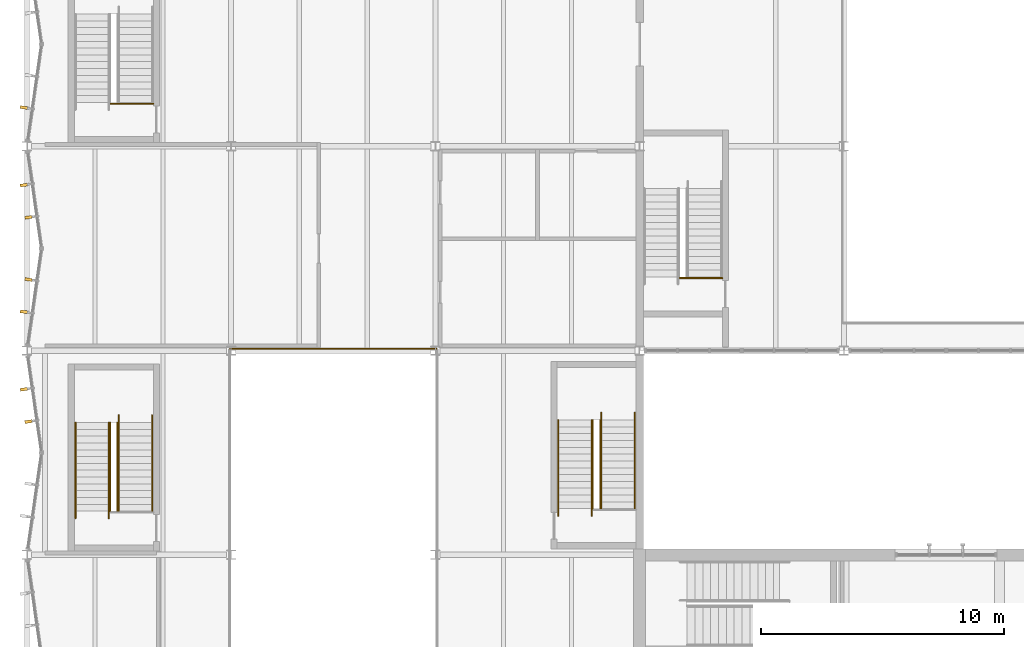
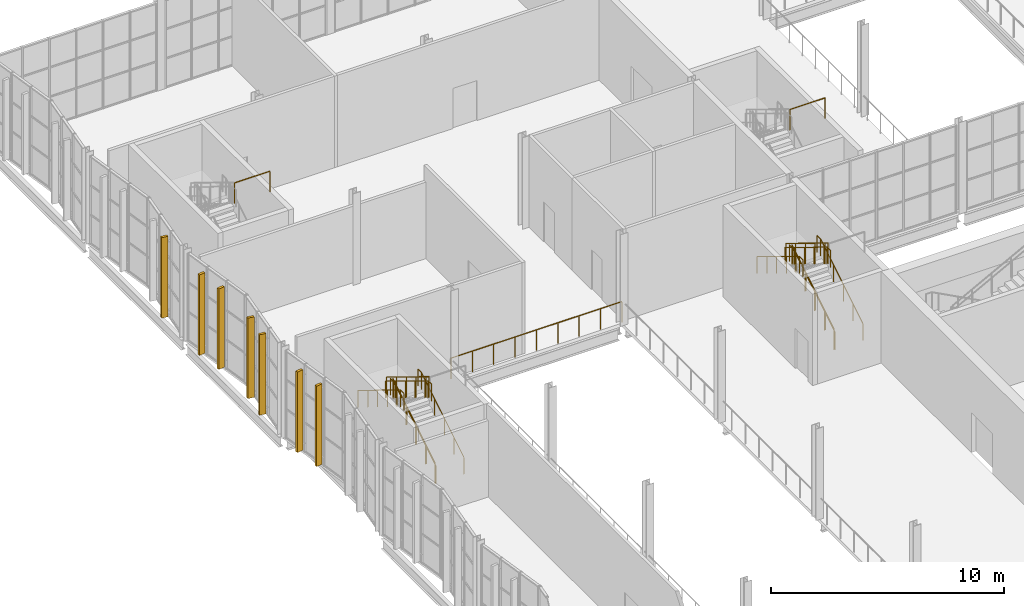
# One storey, part 120 of 127: 15 railings, 7 shading devices.
"""IFC4 building model written with IfcOpenShell, lengths in metres."""

from ifc_helpers import new_model, si_unit, direction, frame, origin, origin_2d, place, context, subcontext, project, spatial, rectangle, circle, extrude, material, type_object, element, save


model = new_model("IFC4")

# Units and contexts
model_context = context("Model", 3, precision=1e-05, world=origin(), true_north=direction((0.0, 1.0)))
body_context = subcontext(model_context, "Body", "Model", "MODEL_VIEW")
ifc_project = project(units=[si_unit("LENGTHUNIT", "METRE"), si_unit("AREAUNIT", "SQUARE_METRE"), si_unit("VOLUMEUNIT", "CUBIC_METRE"), si_unit("PLANEANGLEUNIT", "RADIAN"), si_unit("MASSUNIT", "GRAM", prefix="KILO")], contexts=[model_context])

# Site, building, storey
site_placement = place(None, origin())
site = spatial("IfcSite", under=ifc_project, at=site_placement, CompositionType="ELEMENT")
building_placement = place(site_placement, origin())
building = spatial("IfcBuilding", under=site, at=building_placement, Name="Ljudholm Concert House", CompositionType="ELEMENT")
storey_placement = place(building_placement, frame((0.0, 0.0, 5.39990234375)))
storey = spatial("IfcBuildingStorey", under=building, at=storey_placement, Name="L01", CompositionType="ELEMENT", Elevation=5.39990234375)

# Shading devices
ifc_material_1 = material(Name="Aluminium extrusion with timber-grain PVDF finish", Category="aluminium")
shading_device_type = type_object("IfcShadingDeviceType", Name="FACADE FIN 300x120", PredefinedType="SHUTTER", material=ifc_material_1)
for number, where, z_axis, x_axis, name in (
    (1, (4.06396484375, 101.8779296875, 0.2001953125), (0.0, 0.0, 1.0), (-0.989949493662, -0.141421356235, 0.0), "Facade fin"),
    (2, (3.874267578125, 103.205322265625, 0.2001953125), (0.0, 0.0, 1.0), (-0.989949493662, -0.141421356235, 0.0), "Facade fin"),
    (3, (3.874267578125, 106.394775390625, 0.2001953125), (0.0, 0.0, 1.0), (-0.989949493662, 0.141421356235, 0.0), "Facade fin"),
    (4, (4.06396484375, 107.72216796875, 0.2001953125), (0.0, 0.0, 1.0), (-0.989949493662, 0.141421356235, 0.0), "Facade fin"),
    (5, (4.06396484375, 110.27783203125, 0.2001953125), (0.0, 0.0, 1.0), (-0.989949493662, -0.141421356235, 0.0), "Facade fin"),
    (6, (3.874267578125, 111.605224609375, 0.2001953125), (0.0, 0.0, 1.0), (-0.989949493662, -0.141421356235, 0.0), "Facade fin"),
    (7, (3.874267578125, 114.794677734375, 0.2001953125), (0.0, 0.0, 1.0), (-0.989949493662, 0.141421356235, 0.0), "Facade fin"),
):
    element("IfcShadingDevice", number, at=place(storey_placement, frame(where, z_axis=z_axis, x_axis=x_axis)), inside=storey, type_object=shading_device_type, Name=name, PredefinedType="SHUTTER", context=body_context, shape_type="SweptSolid", body=[
        extrude(rectangle(XDim=0.300048828125, YDim=0.1201171875, at=origin_2d()), origin(), (0.0, 0.0, 1.0), 4.219970703125),
    ])

# Railings
ifc_material_2 = material(Name="Steel ASTM A36", Category="steel")
railing_type_1 = type_object("IfcRailingType", Name="GUARD 1100", PredefinedType="GUARDRAIL", material=ifc_material_2)
railing_1_placement = place(storey_placement, frame((27.574951171875, 98.300048828125, 0.171630859375)))
element("IfcRailing", 8, at=railing_1_placement, inside=storey, type_object=railing_type_1, Name="Guard", PredefinedType="GUARDRAIL", context=body_context, shape_type="SweptSolid", body=[
    extrude(circle(Radius=0.02490234375, at=origin_2d()), frame((0.0, 0.0, 1.0751953125), z_axis=(0.0, 0.85286482292, 0.522131778218), x_axis=(-1.0, 0.0, 0.0)), (0.0, 0.0, 1.0), 0.984619140625),
    extrude(circle(Radius=0.02490234375, at=origin_2d()), frame((0.0, 0.83984375, 1.58935546875), z_axis=(0.0, 0.852822021269, 0.522201685212), x_axis=(-1.0, 0.0, 0.0)), (0.0, 0.0, 1.0), 0.985107421875),
    extrude(circle(Radius=0.02490234375, at=origin_2d()), frame((0.0, 1.679931640625, 2.103515625), z_axis=(0.0, 0.852932391421, 0.522021393877), x_axis=(-1.0, 0.0, 0.0)), (0.0, 0.0, 1.0), 0.98486328125),
    extrude(circle(Radius=0.02490234375, at=origin_2d()), frame((0.0, 2.52001953125, 2.61767578125), z_axis=(0.0, 0.852754414843, 0.522312079092), x_axis=(-1.0, 0.0, 0.0)), (0.0, 0.0, 1.0), 0.98486328125),
    extrude(circle(Radius=0.02490234375, at=origin_2d()), frame((0.0, 3.35986328125, 3.13232421875), z_axis=(0.0, 0.852932391421, 0.522021393877), x_axis=(-1.0, 0.0, 0.0)), (0.0, 0.0, 1.0), 0.328369140625),
    extrude(circle(Radius=0.02099609375, at=origin_2d()), origin(), (0.0, 0.0, 1.0), 1.050048828125),
    extrude(circle(Radius=0.02099609375, at=origin_2d()), frame((0.0, 0.83984375, 0.51416015625)), (0.0, 0.0, 1.0), 1.050048828125),
    extrude(circle(Radius=0.02099609375, at=origin_2d()), frame((0.0, 1.679931640625, 1.028564453125)), (0.0, 0.0, 1.0), 1.050048828125),
    extrude(circle(Radius=0.02099609375, at=origin_2d()), frame((0.0, 2.52001953125, 1.542724609375)), (0.0, 0.0, 1.0), 1.050048828125),
    extrude(circle(Radius=0.02099609375, at=origin_2d()), frame((0.0, 3.35986328125, 2.05712890625)), (0.0, 0.0, 1.0), 1.050048828125),
    extrude(circle(Radius=0.02099609375, at=origin_2d()), frame((0.0, 3.639892578125, 2.228515625)), (0.0, 0.0, 1.0), 1.050048828125),
])
railing_2_placement = place(storey_placement, frame((27.27490234375, 101.93994140625, 2.571533203125)))
element("IfcRailing", 9, at=railing_2_placement, inside=storey, type_object=railing_type_1, Name="Guard", PredefinedType="GUARDRAIL", context=body_context, shape_type="SweptSolid", body=[
    extrude(circle(Radius=0.02490234375, at=origin_2d()), frame((0.0, 0.0, 1.0751953125), z_axis=(0.0, -0.85286482292, 0.522131778218), x_axis=(1.0, 0.0, 0.0)), (0.0, 0.0, 1.0), 0.984619140625),
    extrude(circle(Radius=0.02490234375, at=origin_2d()), frame((0.0, -0.83984375, 1.58935546875), z_axis=(0.0, -0.852822021269, 0.522201685212), x_axis=(1.0, 0.0, 0.0)), (0.0, 0.0, 1.0), 0.985107421875),
    extrude(circle(Radius=0.02490234375, at=origin_2d()), frame((0.0, -1.679931640625, 2.103515625), z_axis=(0.0, -0.852822021269, 0.522201685212), x_axis=(1.0, 0.0, 0.0)), (0.0, 0.0, 1.0), 0.985107421875),
    extrude(circle(Radius=0.02490234375, at=origin_2d()), frame((0.0, -2.52001953125, 2.6181640625), z_axis=(0.0, -0.85286482292, 0.522131778218), x_axis=(1.0, 0.0, 0.0)), (0.0, 0.0, 1.0), 0.984619140625),
    extrude(circle(Radius=0.02490234375, at=origin_2d()), frame((0.0, -3.35986328125, 3.13232421875), z_axis=(0.0, -0.852932391421, 0.522021393877), x_axis=(1.0, 0.0, 0.0)), (0.0, 0.0, 1.0), 0.328369140625),
    extrude(circle(Radius=0.02099609375, at=origin_2d()), origin(), (0.0, 0.0, 1.0), 1.050048828125),
    extrude(circle(Radius=0.02099609375, at=origin_2d()), frame((0.0, -0.83984375, 0.51416015625)), (0.0, 0.0, 1.0), 1.050048828125),
    extrude(circle(Radius=0.02099609375, at=origin_2d()), frame((0.0, -1.679931640625, 1.028564453125)), (0.0, 0.0, 1.0), 1.050048828125),
    extrude(circle(Radius=0.02099609375, at=origin_2d()), frame((0.0, -2.52001953125, 1.54296875)), (0.0, 0.0, 1.0), 1.050048828125),
    extrude(circle(Radius=0.02099609375, at=origin_2d()), frame((0.0, -3.35986328125, 2.05712890625)), (0.0, 0.0, 1.0), 1.050048828125),
    extrude(circle(Radius=0.02099609375, at=origin_2d()), frame((0.0, -3.639892578125, 2.228515625)), (0.0, 0.0, 1.0), 1.050048828125),
])
railing_3_placement = place(storey_placement, frame((7.72509765625, 98.199951171875, 0.171630859375)))
element("IfcRailing", 10, at=railing_3_placement, inside=storey, type_object=railing_type_1, Name="Guard", PredefinedType="GUARDRAIL", context=body_context, shape_type="SweptSolid", body=[
    extrude(circle(Radius=0.02490234375, at=origin_2d()), frame((0.0, 0.0, 1.0751953125), z_axis=(0.0, 0.852932391421, 0.522021393877), x_axis=(-1.0, 0.0, 0.0)), (0.0, 0.0, 1.0), 0.98486328125),
    extrude(circle(Radius=0.02490234375, at=origin_2d()), frame((0.0, 0.840087890625, 1.58935546875), z_axis=(0.0, 0.852754414843, 0.522312079092), x_axis=(-1.0, 0.0, 0.0)), (0.0, 0.0, 1.0), 0.98486328125),
    extrude(circle(Radius=0.02490234375, at=origin_2d()), frame((0.0, 1.679931640625, 2.103515625), z_axis=(0.0, 0.852932391421, 0.522021393877), x_axis=(-1.0, 0.0, 0.0)), (0.0, 0.0, 1.0), 0.98486328125),
    extrude(circle(Radius=0.02490234375, at=origin_2d()), frame((0.0, 2.52001953125, 2.61767578125), z_axis=(0.0, 0.852822021269, 0.522201685212), x_axis=(-1.0, 0.0, 0.0)), (0.0, 0.0, 1.0), 0.985107421875),
    extrude(circle(Radius=0.02490234375, at=origin_2d()), frame((0.0, 3.360107421875, 3.13232421875), z_axis=(0.0, 0.852932391421, 0.522021393877), x_axis=(-1.0, 0.0, 0.0)), (0.0, 0.0, 1.0), 0.328369140625),
    extrude(circle(Radius=0.02099609375, at=origin_2d()), origin(), (0.0, 0.0, 1.0), 1.050048828125),
    extrude(circle(Radius=0.02099609375, at=origin_2d()), frame((0.0, 0.840087890625, 0.51416015625)), (0.0, 0.0, 1.0), 1.050048828125),
    extrude(circle(Radius=0.02099609375, at=origin_2d()), frame((0.0, 1.679931640625, 1.028564453125)), (0.0, 0.0, 1.0), 1.050048828125),
    extrude(circle(Radius=0.02099609375, at=origin_2d()), frame((0.0, 2.52001953125, 1.542724609375)), (0.0, 0.0, 1.0), 1.050048828125),
    extrude(circle(Radius=0.02099609375, at=origin_2d()), frame((0.0, 3.360107421875, 2.05712890625)), (0.0, 0.0, 1.0), 1.050048828125),
    extrude(circle(Radius=0.02099609375, at=origin_2d()), frame((0.0, 3.64013671875, 2.228515625)), (0.0, 0.0, 1.0), 1.050048828125),
])
railing_4_placement = place(storey_placement, frame((7.425048828125, 101.840087890625, 2.571533203125)))
element("IfcRailing", 11, at=railing_4_placement, inside=storey, type_object=railing_type_1, Name="Guard", PredefinedType="GUARDRAIL", context=body_context, shape_type="SweptSolid", body=[
    extrude(circle(Radius=0.02490234375, at=origin_2d()), frame((0.0, 0.0, 1.0751953125), z_axis=(0.0, -0.852932391421, 0.522021393877), x_axis=(1.0, 0.0, 0.0)), (0.0, 0.0, 1.0), 0.98486328125),
    extrude(circle(Radius=0.02490234375, at=origin_2d()), frame((0.0, -0.840087890625, 1.58935546875), z_axis=(0.0, -0.852822021269, 0.522201685212), x_axis=(1.0, 0.0, 0.0)), (0.0, 0.0, 1.0), 0.985107421875),
    extrude(circle(Radius=0.02490234375, at=origin_2d()), frame((0.0, -1.68017578125, 2.103515625), z_axis=(0.0, -0.852754414843, 0.522312079092), x_axis=(1.0, 0.0, 0.0)), (0.0, 0.0, 1.0), 0.98486328125),
    extrude(circle(Radius=0.02490234375, at=origin_2d()), frame((0.0, -2.52001953125, 2.6181640625), z_axis=(0.0, -0.852932391421, 0.522021393877), x_axis=(1.0, 0.0, 0.0)), (0.0, 0.0, 1.0), 0.98486328125),
    extrude(circle(Radius=0.02490234375, at=origin_2d()), frame((0.0, -3.360107421875, 3.13232421875), z_axis=(0.0, -0.852932391421, 0.522021393877), x_axis=(1.0, 0.0, 0.0)), (0.0, 0.0, 1.0), 0.328369140625),
    extrude(circle(Radius=0.02099609375, at=origin_2d()), origin(), (0.0, 0.0, 1.0), 1.050048828125),
    extrude(circle(Radius=0.02099609375, at=origin_2d()), frame((0.0, -0.840087890625, 0.51416015625)), (0.0, 0.0, 1.0), 1.050048828125),
    extrude(circle(Radius=0.02099609375, at=origin_2d()), frame((0.0, -1.68017578125, 1.028564453125)), (0.0, 0.0, 1.0), 1.050048828125),
    extrude(circle(Radius=0.02099609375, at=origin_2d()), frame((0.0, -2.52001953125, 1.54296875)), (0.0, 0.0, 1.0), 1.050048828125),
    extrude(circle(Radius=0.02099609375, at=origin_2d()), frame((0.0, -3.360107421875, 2.05712890625)), (0.0, 0.0, 1.0), 1.050048828125),
    extrude(circle(Radius=0.02099609375, at=origin_2d()), frame((0.0, -3.64013671875, 2.228515625)), (0.0, 0.0, 1.0), 1.050048828125),
])
railing_5_placement = place(storey_placement, frame((9.199951171875, 114.949951171875, 4.800048828125)))
element("IfcRailing", 12, at=railing_5_placement, inside=storey, type_object=railing_type_1, Name="Guard", PredefinedType="GUARDRAIL", context=body_context, shape_type="SweptSolid", body=[
    extrude(circle(Radius=0.02490234375, at=origin_2d()), frame((0.0, 0.0, 1.0751953125), z_axis=(-1.0, 0.0, 0.0), x_axis=(0.0, -1.0, 0.0)), (0.0, 0.0, 1.0), 1.75),
    extrude(circle(Radius=0.02099609375, at=origin_2d()), origin(), (0.0, 0.0, 1.0), 1.050048828125),
    extrude(circle(Radius=0.02099609375, at=origin_2d()), frame((-1.75, 0.0, 0.0)), (0.0, 0.0, 1.0), 1.050048828125),
])
railing_6_placement = place(storey_placement, frame((20.840087890625, 104.8701171875, 0.0)))
element("IfcRailing", 13, at=railing_6_placement, inside=storey, type_object=railing_type_1, Name="Atrium guard", PredefinedType="GUARDRAIL", context=body_context, shape_type="SweptSolid", body=[
    extrude(circle(Radius=0.02490234375, at=origin_2d()), frame((0.0, 0.0, 1.0751953125), z_axis=(-1.0, 0.0, 0.0), x_axis=(0.0, -1.0, 0.0)), (0.0, 0.0, 1.0), 8.47998046875),
    extrude(circle(Radius=0.02099609375, at=origin_2d()), origin(), (0.0, 0.0, 1.0), 1.050048828125),
    extrude(circle(Radius=0.02099609375, at=origin_2d()), frame((-1.06005859375, 0.0, 0.0)), (0.0, 0.0, 1.0), 1.050048828125),
    extrude(circle(Radius=0.02099609375, at=origin_2d()), frame((-2.1201171875, 0.0, 0.0)), (0.0, 0.0, 1.0), 1.050048828125),
    extrude(circle(Radius=0.02099609375, at=origin_2d()), frame((-3.179931640625, 0.0, 0.0)), (0.0, 0.0, 1.0), 1.050048828125),
    extrude(circle(Radius=0.02099609375, at=origin_2d()), frame((-4.239990234375, 0.0, 0.0)), (0.0, 0.0, 1.0), 1.050048828125),
    extrude(circle(Radius=0.02099609375, at=origin_2d()), frame((-5.300048828125, 0.0, 0.0)), (0.0, 0.0, 1.0), 1.050048828125),
    extrude(circle(Radius=0.02099609375, at=origin_2d()), frame((-6.35986328125, 0.0, 0.0)), (0.0, 0.0, 1.0), 1.050048828125),
    extrude(circle(Radius=0.02099609375, at=origin_2d()), frame((-7.419921875, 0.0, 0.0)), (0.0, 0.0, 1.0), 1.050048828125),
    extrude(circle(Radius=0.02099609375, at=origin_2d()), frame((-8.47998046875, 0.0, 0.0)), (0.0, 0.0, 1.0), 1.050048828125),
])
railing_7_placement = place(storey_placement, frame((32.60009765625, 107.780029296875, 4.800048828125)))
element("IfcRailing", 14, at=railing_7_placement, inside=storey, type_object=railing_type_1, Name="Guard", PredefinedType="GUARDRAIL", context=body_context, shape_type="SweptSolid", body=[
    extrude(circle(Radius=0.02490234375, at=origin_2d()), frame((0.0, 0.0, 1.0751953125), z_axis=(-1.0, 0.0, 0.0), x_axis=(0.0, -1.0, 0.0)), (0.0, 0.0, 1.0), 1.75),
    extrude(circle(Radius=0.02099609375, at=origin_2d()), origin(), (0.0, 0.0, 1.0), 1.050048828125),
    extrude(circle(Radius=0.02099609375, at=origin_2d()), frame((-1.75, 0.0, 0.0)), (0.0, 0.0, 1.0), 1.050048828125),
])
ifc_material_3 = material(Name="Steel ASTM A36", Category="steel")
railing_type_2 = type_object("IfcRailingType", Name="HANDRAIL 900", PredefinedType="HANDRAIL", material=ifc_material_3)
railing_8_placement = place(storey_placement, frame((27.625, 98.300048828125, 0.171630859375)))
element("IfcRailing", 15, at=railing_8_placement, inside=storey, type_object=railing_type_2, Name="Handrail", PredefinedType="HANDRAIL", context=body_context, shape_type="SweptSolid", body=[
    extrude(circle(Radius=0.0224609375, at=origin_2d()), frame((0.0, 0.0, 0.87744140625), z_axis=(0.0, 0.85286482292, 0.522131778218), x_axis=(-1.0, 0.0, 0.0)), (0.0, 0.0, 1.0), 0.984619140625),
    extrude(circle(Radius=0.0224609375, at=origin_2d()), frame((0.0, 0.83984375, 1.3916015625), z_axis=(0.0, 0.852822021269, 0.522201685212), x_axis=(-1.0, 0.0, 0.0)), (0.0, 0.0, 1.0), 0.985107421875),
    extrude(circle(Radius=0.0224609375, at=origin_2d()), frame((0.0, 1.679931640625, 1.906005859375), z_axis=(0.0, 0.852932391421, 0.522021393877), x_axis=(-1.0, 0.0, 0.0)), (0.0, 0.0, 1.0), 0.98486328125),
    extrude(circle(Radius=0.0224609375, at=origin_2d()), frame((0.0, 2.52001953125, 2.420166015625), z_axis=(0.0, 0.852754414843, 0.522312079092), x_axis=(-1.0, 0.0, 0.0)), (0.0, 0.0, 1.0), 0.98486328125),
    extrude(circle(Radius=0.0224609375, at=origin_2d()), frame((0.0, 3.35986328125, 2.9345703125), z_axis=(0.0, 0.852932391421, 0.522021393877), x_axis=(-1.0, 0.0, 0.0)), (0.0, 0.0, 1.0), 0.328369140625),
    extrude(circle(Radius=0.0224609375, at=origin_2d()), frame((0.0, 3.639892578125, 3.10595703125), z_axis=(0.0, 1.0, 0.0), x_axis=(-1.0, 0.0, 0.0)), (0.0, 0.0, 1.0), 0.300048828125),
    extrude(circle(Radius=0.02099609375, at=origin_2d()), origin(), (0.0, 0.0, 1.0), 0.85498046875),
    extrude(circle(Radius=0.02099609375, at=origin_2d()), frame((0.0, 0.83984375, 0.51416015625)), (0.0, 0.0, 1.0), 0.85498046875),
    extrude(circle(Radius=0.02099609375, at=origin_2d()), frame((0.0, 1.679931640625, 1.028564453125)), (0.0, 0.0, 1.0), 0.85498046875),
    extrude(circle(Radius=0.02099609375, at=origin_2d()), frame((0.0, 2.52001953125, 1.542724609375)), (0.0, 0.0, 1.0), 0.85498046875),
    extrude(circle(Radius=0.02099609375, at=origin_2d()), frame((0.0, 3.35986328125, 2.05712890625)), (0.0, 0.0, 1.0), 0.85498046875),
    extrude(circle(Radius=0.02099609375, at=origin_2d()), frame((0.0, 3.639892578125, 2.228515625)), (0.0, 0.0, 1.0), 0.85498046875),
    extrude(circle(Radius=0.02099609375, at=origin_2d()), frame((0.0, 3.93994140625, 2.228515625)), (0.0, 0.0, 1.0), 0.85498046875),
])
railing_9_placement = place(storey_placement, frame((29.0, 98.300048828125, 0.171630859375)))
element("IfcRailing", 16, at=railing_9_placement, inside=storey, type_object=railing_type_2, Name="Handrail", PredefinedType="HANDRAIL", context=body_context, shape_type="SweptSolid", body=[
    extrude(circle(Radius=0.0224609375, at=origin_2d()), frame((0.0, 0.0, 0.87744140625), z_axis=(0.0, 0.85286482292, 0.522131778218), x_axis=(-1.0, 0.0, 0.0)), (0.0, 0.0, 1.0), 0.984619140625),
    extrude(circle(Radius=0.0224609375, at=origin_2d()), frame((0.0, 0.83984375, 1.3916015625), z_axis=(0.0, 0.852822021269, 0.522201685212), x_axis=(-1.0, 0.0, 0.0)), (0.0, 0.0, 1.0), 0.985107421875),
    extrude(circle(Radius=0.0224609375, at=origin_2d()), frame((0.0, 1.679931640625, 1.906005859375), z_axis=(0.0, 0.852932391421, 0.522021393877), x_axis=(-1.0, 0.0, 0.0)), (0.0, 0.0, 1.0), 0.98486328125),
    extrude(circle(Radius=0.0224609375, at=origin_2d()), frame((0.0, 2.52001953125, 2.420166015625), z_axis=(0.0, 0.852754414843, 0.522312079092), x_axis=(-1.0, 0.0, 0.0)), (0.0, 0.0, 1.0), 0.98486328125),
    extrude(circle(Radius=0.0224609375, at=origin_2d()), frame((0.0, 3.35986328125, 2.9345703125), z_axis=(0.0, 0.852932391421, 0.522021393877), x_axis=(-1.0, 0.0, 0.0)), (0.0, 0.0, 1.0), 0.328369140625),
    extrude(circle(Radius=0.0224609375, at=origin_2d()), frame((0.0, 3.639892578125, 3.10595703125), z_axis=(0.0, 1.0, 0.0), x_axis=(-1.0, 0.0, 0.0)), (0.0, 0.0, 1.0), 0.300048828125),
    extrude(circle(Radius=0.02099609375, at=origin_2d()), origin(), (0.0, 0.0, 1.0), 0.85498046875),
    extrude(circle(Radius=0.02099609375, at=origin_2d()), frame((0.0, 0.83984375, 0.51416015625)), (0.0, 0.0, 1.0), 0.85498046875),
    extrude(circle(Radius=0.02099609375, at=origin_2d()), frame((0.0, 1.679931640625, 1.028564453125)), (0.0, 0.0, 1.0), 0.85498046875),
    extrude(circle(Radius=0.02099609375, at=origin_2d()), frame((0.0, 2.52001953125, 1.542724609375)), (0.0, 0.0, 1.0), 0.85498046875),
    extrude(circle(Radius=0.02099609375, at=origin_2d()), frame((0.0, 3.35986328125, 2.05712890625)), (0.0, 0.0, 1.0), 0.85498046875),
    extrude(circle(Radius=0.02099609375, at=origin_2d()), frame((0.0, 3.639892578125, 2.228515625)), (0.0, 0.0, 1.0), 0.85498046875),
    extrude(circle(Radius=0.02099609375, at=origin_2d()), frame((0.0, 3.93994140625, 2.228515625)), (0.0, 0.0, 1.0), 0.85498046875),
])
railing_10_placement = place(storey_placement, frame((27.22509765625, 101.93994140625, 2.571533203125)))
element("IfcRailing", 17, at=railing_10_placement, inside=storey, type_object=railing_type_2, Name="Handrail", PredefinedType="HANDRAIL", context=body_context, shape_type="SweptSolid", body=[
    extrude(circle(Radius=0.0224609375, at=origin_2d()), frame((0.0, 0.0, 0.87744140625), z_axis=(0.0, -0.85286482292, 0.522131778218), x_axis=(1.0, 0.0, 0.0)), (0.0, 0.0, 1.0), 0.984619140625),
    extrude(circle(Radius=0.0224609375, at=origin_2d()), frame((0.0, -0.83984375, 1.3916015625), z_axis=(0.0, -0.852822021269, 0.522201685212), x_axis=(1.0, 0.0, 0.0)), (0.0, 0.0, 1.0), 0.985107421875),
    extrude(circle(Radius=0.0224609375, at=origin_2d()), frame((0.0, -1.679931640625, 1.906005859375), z_axis=(0.0, -0.852822021269, 0.522201685212), x_axis=(1.0, 0.0, 0.0)), (0.0, 0.0, 1.0), 0.985107421875),
    extrude(circle(Radius=0.0224609375, at=origin_2d()), frame((0.0, -2.52001953125, 2.42041015625), z_axis=(0.0, -0.85286482292, 0.522131778218), x_axis=(1.0, 0.0, 0.0)), (0.0, 0.0, 1.0), 0.984619140625),
    extrude(circle(Radius=0.0224609375, at=origin_2d()), frame((0.0, -3.35986328125, 2.9345703125), z_axis=(0.0, -0.852932391421, 0.522021393877), x_axis=(1.0, 0.0, 0.0)), (0.0, 0.0, 1.0), 0.328369140625),
    extrude(circle(Radius=0.0224609375, at=origin_2d()), frame((0.0, -3.639892578125, 3.10595703125), z_axis=(0.0, -1.0, 0.0), x_axis=(1.0, 0.0, 0.0)), (0.0, 0.0, 1.0), 0.300048828125),
    extrude(circle(Radius=0.02099609375, at=origin_2d()), origin(), (0.0, 0.0, 1.0), 0.85498046875),
    extrude(circle(Radius=0.02099609375, at=origin_2d()), frame((0.0, -0.83984375, 0.51416015625)), (0.0, 0.0, 1.0), 0.85498046875),
    extrude(circle(Radius=0.02099609375, at=origin_2d()), frame((0.0, -1.679931640625, 1.028564453125)), (0.0, 0.0, 1.0), 0.85498046875),
    extrude(circle(Radius=0.02099609375, at=origin_2d()), frame((0.0, -2.52001953125, 1.54296875)), (0.0, 0.0, 1.0), 0.85498046875),
    extrude(circle(Radius=0.02099609375, at=origin_2d()), frame((0.0, -3.35986328125, 2.05712890625)), (0.0, 0.0, 1.0), 0.85498046875),
    extrude(circle(Radius=0.02099609375, at=origin_2d()), frame((0.0, -3.639892578125, 2.228515625)), (0.0, 0.0, 1.0), 0.85498046875),
    extrude(circle(Radius=0.02099609375, at=origin_2d()), frame((0.0, -3.93994140625, 2.228515625)), (0.0, 0.0, 1.0), 0.85498046875),
])
railing_11_placement = place(storey_placement, frame((25.85009765625, 101.93994140625, 2.571533203125)))
element("IfcRailing", 18, at=railing_11_placement, inside=storey, type_object=railing_type_2, Name="Handrail", PredefinedType="HANDRAIL", context=body_context, shape_type="SweptSolid", body=[
    extrude(circle(Radius=0.0224609375, at=origin_2d()), frame((0.0, 0.0, 0.87744140625), z_axis=(0.0, -0.85286482292, 0.522131778218), x_axis=(1.0, 0.0, 0.0)), (0.0, 0.0, 1.0), 0.984619140625),
    extrude(circle(Radius=0.0224609375, at=origin_2d()), frame((0.0, -0.83984375, 1.3916015625), z_axis=(0.0, -0.852822021269, 0.522201685212), x_axis=(1.0, 0.0, 0.0)), (0.0, 0.0, 1.0), 0.985107421875),
    extrude(circle(Radius=0.0224609375, at=origin_2d()), frame((0.0, -1.679931640625, 1.906005859375), z_axis=(0.0, -0.852822021269, 0.522201685212), x_axis=(1.0, 0.0, 0.0)), (0.0, 0.0, 1.0), 0.985107421875),
    extrude(circle(Radius=0.0224609375, at=origin_2d()), frame((0.0, -2.52001953125, 2.42041015625), z_axis=(0.0, -0.85286482292, 0.522131778218), x_axis=(1.0, 0.0, 0.0)), (0.0, 0.0, 1.0), 0.984619140625),
    extrude(circle(Radius=0.0224609375, at=origin_2d()), frame((0.0, -3.35986328125, 2.9345703125), z_axis=(0.0, -0.852932391421, 0.522021393877), x_axis=(1.0, 0.0, 0.0)), (0.0, 0.0, 1.0), 0.328369140625),
    extrude(circle(Radius=0.0224609375, at=origin_2d()), frame((0.0, -3.639892578125, 3.10595703125), z_axis=(0.0, -1.0, 0.0), x_axis=(1.0, 0.0, 0.0)), (0.0, 0.0, 1.0), 0.300048828125),
    extrude(circle(Radius=0.02099609375, at=origin_2d()), origin(), (0.0, 0.0, 1.0), 0.85498046875),
    extrude(circle(Radius=0.02099609375, at=origin_2d()), frame((0.0, -0.83984375, 0.51416015625)), (0.0, 0.0, 1.0), 0.85498046875),
    extrude(circle(Radius=0.02099609375, at=origin_2d()), frame((0.0, -1.679931640625, 1.028564453125)), (0.0, 0.0, 1.0), 0.85498046875),
    extrude(circle(Radius=0.02099609375, at=origin_2d()), frame((0.0, -2.52001953125, 1.54296875)), (0.0, 0.0, 1.0), 0.85498046875),
    extrude(circle(Radius=0.02099609375, at=origin_2d()), frame((0.0, -3.35986328125, 2.05712890625)), (0.0, 0.0, 1.0), 0.85498046875),
    extrude(circle(Radius=0.02099609375, at=origin_2d()), frame((0.0, -3.639892578125, 2.228515625)), (0.0, 0.0, 1.0), 0.85498046875),
    extrude(circle(Radius=0.02099609375, at=origin_2d()), frame((0.0, -3.93994140625, 2.228515625)), (0.0, 0.0, 1.0), 0.85498046875),
])
railing_12_placement = place(storey_placement, frame((7.77490234375, 98.199951171875, 0.171630859375)))
element("IfcRailing", 19, at=railing_12_placement, inside=storey, type_object=railing_type_2, Name="Handrail", PredefinedType="HANDRAIL", context=body_context, shape_type="SweptSolid", body=[
    extrude(circle(Radius=0.0224609375, at=origin_2d()), frame((0.0, 0.0, 0.87744140625), z_axis=(0.0, 0.852932391421, 0.522021393877), x_axis=(-1.0, 0.0, 0.0)), (0.0, 0.0, 1.0), 0.98486328125),
    extrude(circle(Radius=0.0224609375, at=origin_2d()), frame((0.0, 0.840087890625, 1.3916015625), z_axis=(0.0, 0.852754414843, 0.522312079092), x_axis=(-1.0, 0.0, 0.0)), (0.0, 0.0, 1.0), 0.98486328125),
    extrude(circle(Radius=0.0224609375, at=origin_2d()), frame((0.0, 1.679931640625, 1.906005859375), z_axis=(0.0, 0.852932391421, 0.522021393877), x_axis=(-1.0, 0.0, 0.0)), (0.0, 0.0, 1.0), 0.98486328125),
    extrude(circle(Radius=0.0224609375, at=origin_2d()), frame((0.0, 2.52001953125, 2.420166015625), z_axis=(0.0, 0.852822021269, 0.522201685212), x_axis=(-1.0, 0.0, 0.0)), (0.0, 0.0, 1.0), 0.985107421875),
    extrude(circle(Radius=0.0224609375, at=origin_2d()), frame((0.0, 3.360107421875, 2.9345703125), z_axis=(0.0, 0.852932391421, 0.522021393877), x_axis=(-1.0, 0.0, 0.0)), (0.0, 0.0, 1.0), 0.328369140625),
    extrude(circle(Radius=0.0224609375, at=origin_2d()), frame((0.0, 3.64013671875, 3.10595703125), z_axis=(0.0, 1.0, 0.0), x_axis=(-1.0, 0.0, 0.0)), (0.0, 0.0, 1.0), 0.2998046875),
    extrude(circle(Radius=0.02099609375, at=origin_2d()), origin(), (0.0, 0.0, 1.0), 0.85498046875),
    extrude(circle(Radius=0.02099609375, at=origin_2d()), frame((0.0, 0.840087890625, 0.51416015625)), (0.0, 0.0, 1.0), 0.85498046875),
    extrude(circle(Radius=0.02099609375, at=origin_2d()), frame((0.0, 1.679931640625, 1.028564453125)), (0.0, 0.0, 1.0), 0.85498046875),
    extrude(circle(Radius=0.02099609375, at=origin_2d()), frame((0.0, 2.52001953125, 1.542724609375)), (0.0, 0.0, 1.0), 0.85498046875),
    extrude(circle(Radius=0.02099609375, at=origin_2d()), frame((0.0, 3.360107421875, 2.05712890625)), (0.0, 0.0, 1.0), 0.85498046875),
    extrude(circle(Radius=0.02099609375, at=origin_2d()), frame((0.0, 3.64013671875, 2.228515625)), (0.0, 0.0, 1.0), 0.85498046875),
    extrude(circle(Radius=0.02099609375, at=origin_2d()), frame((0.0, 3.93994140625, 2.228515625)), (0.0, 0.0, 1.0), 0.85498046875),
])
railing_13_placement = place(storey_placement, frame((9.14990234375, 98.199951171875, 0.171630859375)))
element("IfcRailing", 20, at=railing_13_placement, inside=storey, type_object=railing_type_2, Name="Handrail", PredefinedType="HANDRAIL", context=body_context, shape_type="SweptSolid", body=[
    extrude(circle(Radius=0.0224609375, at=origin_2d()), frame((0.0, 0.0, 0.87744140625), z_axis=(0.0, 0.852932391421, 0.522021393877), x_axis=(-1.0, 0.0, 0.0)), (0.0, 0.0, 1.0), 0.98486328125),
    extrude(circle(Radius=0.0224609375, at=origin_2d()), frame((0.0, 0.840087890625, 1.3916015625), z_axis=(0.0, 0.852754414843, 0.522312079092), x_axis=(-1.0, 0.0, 0.0)), (0.0, 0.0, 1.0), 0.98486328125),
    extrude(circle(Radius=0.0224609375, at=origin_2d()), frame((0.0, 1.679931640625, 1.906005859375), z_axis=(0.0, 0.852932391421, 0.522021393877), x_axis=(-1.0, 0.0, 0.0)), (0.0, 0.0, 1.0), 0.98486328125),
    extrude(circle(Radius=0.0224609375, at=origin_2d()), frame((0.0, 2.52001953125, 2.420166015625), z_axis=(0.0, 0.852822021269, 0.522201685212), x_axis=(-1.0, 0.0, 0.0)), (0.0, 0.0, 1.0), 0.985107421875),
    extrude(circle(Radius=0.0224609375, at=origin_2d()), frame((0.0, 3.360107421875, 2.9345703125), z_axis=(0.0, 0.852932391421, 0.522021393877), x_axis=(-1.0, 0.0, 0.0)), (0.0, 0.0, 1.0), 0.328369140625),
    extrude(circle(Radius=0.0224609375, at=origin_2d()), frame((0.0, 3.64013671875, 3.10595703125), z_axis=(0.0, 1.0, 0.0), x_axis=(-1.0, 0.0, 0.0)), (0.0, 0.0, 1.0), 0.2998046875),
    extrude(circle(Radius=0.02099609375, at=origin_2d()), origin(), (0.0, 0.0, 1.0), 0.85498046875),
    extrude(circle(Radius=0.02099609375, at=origin_2d()), frame((0.0, 0.840087890625, 0.51416015625)), (0.0, 0.0, 1.0), 0.85498046875),
    extrude(circle(Radius=0.02099609375, at=origin_2d()), frame((0.0, 1.679931640625, 1.028564453125)), (0.0, 0.0, 1.0), 0.85498046875),
    extrude(circle(Radius=0.02099609375, at=origin_2d()), frame((0.0, 2.52001953125, 1.542724609375)), (0.0, 0.0, 1.0), 0.85498046875),
    extrude(circle(Radius=0.02099609375, at=origin_2d()), frame((0.0, 3.360107421875, 2.05712890625)), (0.0, 0.0, 1.0), 0.85498046875),
    extrude(circle(Radius=0.02099609375, at=origin_2d()), frame((0.0, 3.64013671875, 2.228515625)), (0.0, 0.0, 1.0), 0.85498046875),
    extrude(circle(Radius=0.02099609375, at=origin_2d()), frame((0.0, 3.93994140625, 2.228515625)), (0.0, 0.0, 1.0), 0.85498046875),
])
railing_14_placement = place(storey_placement, frame((7.375, 101.840087890625, 2.571533203125)))
element("IfcRailing", 21, at=railing_14_placement, inside=storey, type_object=railing_type_2, Name="Handrail", PredefinedType="HANDRAIL", context=body_context, shape_type="SweptSolid", body=[
    extrude(circle(Radius=0.0224609375, at=origin_2d()), frame((0.0, 0.0, 0.87744140625), z_axis=(0.0, -0.852932391421, 0.522021393877), x_axis=(1.0, 0.0, 0.0)), (0.0, 0.0, 1.0), 0.98486328125),
    extrude(circle(Radius=0.0224609375, at=origin_2d()), frame((0.0, -0.840087890625, 1.3916015625), z_axis=(0.0, -0.852822021269, 0.522201685212), x_axis=(1.0, 0.0, 0.0)), (0.0, 0.0, 1.0), 0.985107421875),
    extrude(circle(Radius=0.0224609375, at=origin_2d()), frame((0.0, -1.68017578125, 1.906005859375), z_axis=(0.0, -0.852754414843, 0.522312079092), x_axis=(1.0, 0.0, 0.0)), (0.0, 0.0, 1.0), 0.98486328125),
    extrude(circle(Radius=0.0224609375, at=origin_2d()), frame((0.0, -2.52001953125, 2.42041015625), z_axis=(0.0, -0.852932391421, 0.522021393877), x_axis=(1.0, 0.0, 0.0)), (0.0, 0.0, 1.0), 0.98486328125),
    extrude(circle(Radius=0.0224609375, at=origin_2d()), frame((0.0, -3.360107421875, 2.9345703125), z_axis=(0.0, -0.852932391421, 0.522021393877), x_axis=(1.0, 0.0, 0.0)), (0.0, 0.0, 1.0), 0.328369140625),
    extrude(circle(Radius=0.0224609375, at=origin_2d()), frame((0.0, -3.64013671875, 3.10595703125), z_axis=(0.0, -1.0, 0.0), x_axis=(1.0, 0.0, 0.0)), (0.0, 0.0, 1.0), 0.300048828125),
    extrude(circle(Radius=0.02099609375, at=origin_2d()), origin(), (0.0, 0.0, 1.0), 0.85498046875),
    extrude(circle(Radius=0.02099609375, at=origin_2d()), frame((0.0, -0.840087890625, 0.51416015625)), (0.0, 0.0, 1.0), 0.85498046875),
    extrude(circle(Radius=0.02099609375, at=origin_2d()), frame((0.0, -1.68017578125, 1.028564453125)), (0.0, 0.0, 1.0), 0.85498046875),
    extrude(circle(Radius=0.02099609375, at=origin_2d()), frame((0.0, -2.52001953125, 1.54296875)), (0.0, 0.0, 1.0), 0.85498046875),
    extrude(circle(Radius=0.02099609375, at=origin_2d()), frame((0.0, -3.360107421875, 2.05712890625)), (0.0, 0.0, 1.0), 0.85498046875),
    extrude(circle(Radius=0.02099609375, at=origin_2d()), frame((0.0, -3.64013671875, 2.228515625)), (0.0, 0.0, 1.0), 0.85498046875),
    extrude(circle(Radius=0.02099609375, at=origin_2d()), frame((0.0, -3.940185546875, 2.228515625)), (0.0, 0.0, 1.0), 0.85498046875),
])
railing_15_placement = place(storey_placement, frame((6.0, 101.840087890625, 2.571533203125)))
element("IfcRailing", 22, at=railing_15_placement, inside=storey, type_object=railing_type_2, Name="Handrail", PredefinedType="HANDRAIL", context=body_context, shape_type="SweptSolid", body=[
    extrude(circle(Radius=0.0224609375, at=origin_2d()), frame((0.0, 0.0, 0.87744140625), z_axis=(0.0, -0.852932391421, 0.522021393877), x_axis=(1.0, 0.0, 0.0)), (0.0, 0.0, 1.0), 0.98486328125),
    extrude(circle(Radius=0.0224609375, at=origin_2d()), frame((0.0, -0.840087890625, 1.3916015625), z_axis=(0.0, -0.852822021269, 0.522201685212), x_axis=(1.0, 0.0, 0.0)), (0.0, 0.0, 1.0), 0.985107421875),
    extrude(circle(Radius=0.0224609375, at=origin_2d()), frame((0.0, -1.68017578125, 1.906005859375), z_axis=(0.0, -0.852754414843, 0.522312079092), x_axis=(1.0, 0.0, 0.0)), (0.0, 0.0, 1.0), 0.98486328125),
    extrude(circle(Radius=0.0224609375, at=origin_2d()), frame((0.0, -2.52001953125, 2.42041015625), z_axis=(0.0, -0.852932391421, 0.522021393877), x_axis=(1.0, 0.0, 0.0)), (0.0, 0.0, 1.0), 0.98486328125),
    extrude(circle(Radius=0.0224609375, at=origin_2d()), frame((0.0, -3.360107421875, 2.9345703125), z_axis=(0.0, -0.852932391421, 0.522021393877), x_axis=(1.0, 0.0, 0.0)), (0.0, 0.0, 1.0), 0.328369140625),
    extrude(circle(Radius=0.0224609375, at=origin_2d()), frame((0.0, -3.64013671875, 3.10595703125), z_axis=(0.0, -1.0, 0.0), x_axis=(1.0, 0.0, 0.0)), (0.0, 0.0, 1.0), 0.300048828125),
    extrude(circle(Radius=0.02099609375, at=origin_2d()), origin(), (0.0, 0.0, 1.0), 0.85498046875),
    extrude(circle(Radius=0.02099609375, at=origin_2d()), frame((0.0, -0.840087890625, 0.51416015625)), (0.0, 0.0, 1.0), 0.85498046875),
    extrude(circle(Radius=0.02099609375, at=origin_2d()), frame((0.0, -1.68017578125, 1.028564453125)), (0.0, 0.0, 1.0), 0.85498046875),
    extrude(circle(Radius=0.02099609375, at=origin_2d()), frame((0.0, -2.52001953125, 1.54296875)), (0.0, 0.0, 1.0), 0.85498046875),
    extrude(circle(Radius=0.02099609375, at=origin_2d()), frame((0.0, -3.360107421875, 2.05712890625)), (0.0, 0.0, 1.0), 0.85498046875),
    extrude(circle(Radius=0.02099609375, at=origin_2d()), frame((0.0, -3.64013671875, 2.228515625)), (0.0, 0.0, 1.0), 0.85498046875),
    extrude(circle(Radius=0.02099609375, at=origin_2d()), frame((0.0, -3.940185546875, 2.228515625)), (0.0, 0.0, 1.0), 0.85498046875),
])

save(model, "model.ifc")
